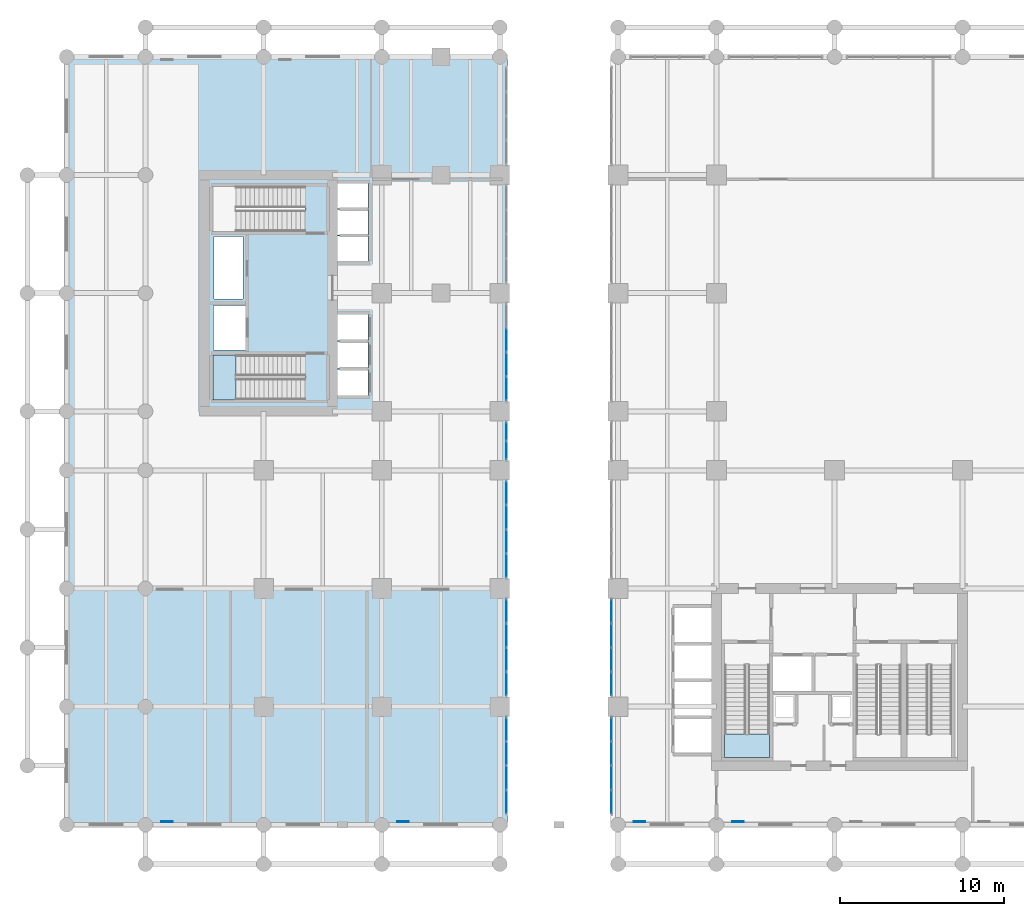
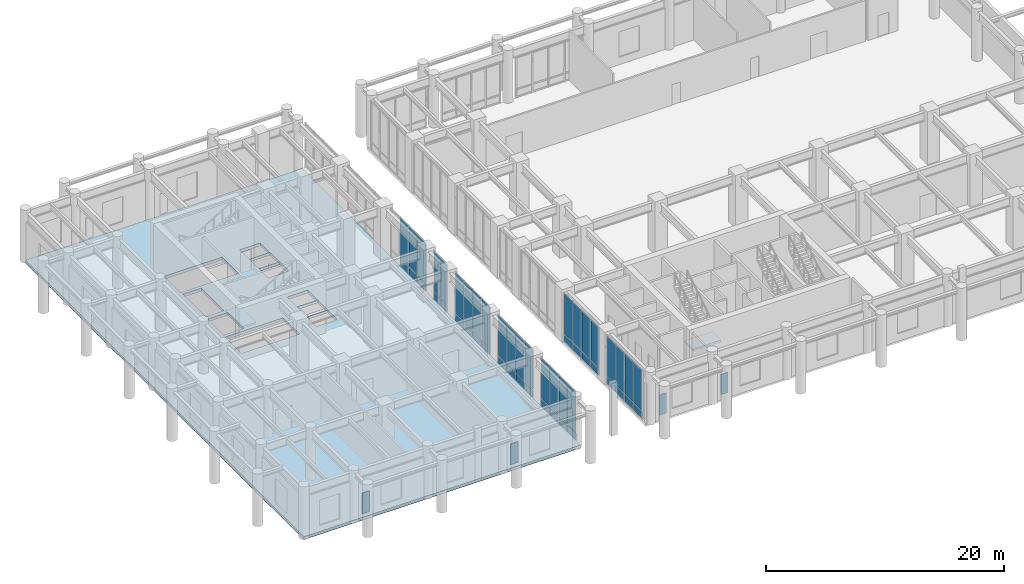
# One storey, part 10 of 23: 54 plates, 3 slabs, 9 elements without a shape of their own.
"""IFC4 building model written with IfcOpenShell, lengths in metres."""

from ifc_helpers import new_model, si_unit, derived_unit, direction, frame, origin, origin_2d, place, context, subcontext, project, spatial, polyline, rectangle, outline, extrude, source, transform, mapped, material, layer, layer_set, type_object, type_shapes, element, aggregate, save


model = new_model("IFC4")

# Units and contexts
model_context = context("Model", 3, precision=1e-05, world=origin(), true_north=direction((0.0, 1.0)))
body_context = subcontext(model_context, "Body", "Model", "MODEL_VIEW")
ifc_project = project(units=[si_unit("LENGTHUNIT", "METRE"), si_unit("AREAUNIT", "SQUARE_METRE"), si_unit("VOLUMEUNIT", "CUBIC_METRE"), si_unit("PLANEANGLEUNIT", "RADIAN"), si_unit("MASSUNIT", "GRAM", prefix="KILO"), si_unit("THERMODYNAMICTEMPERATUREUNIT", "KELVIN"), si_unit("POWERUNIT", "WATT"), derived_unit("THERMALTRANSMITTANCEUNIT", [(si_unit("POWERUNIT", "WATT"), 1), (si_unit("AREAUNIT", "SQUARE_METRE"), -1), (si_unit("THERMODYNAMICTEMPERATUREUNIT", "KELVIN"), -1)])], contexts=[model_context])

# Site, building, storey
site_placement = place(None, origin())
site = spatial("IfcSite", under=ifc_project, at=site_placement, CompositionType="ELEMENT")
building_placement = place(site_placement, origin())
building = spatial("IfcBuilding", under=site, at=building_placement, Name="Zahravan Archway Hotel and Residences", CompositionType="ELEMENT")
storey_placement = place(building_placement, frame((0.0, 0.0, 5.39990234375)))
storey = spatial("IfcBuildingStorey", under=building, at=storey_placement, Name="L01", CompositionType="ELEMENT", Elevation=5.39990234375)

# Slab
ifc_material_1 = material(Name="Concrete C50/60", Category="concrete")
ifc_layer_1 = layer(ifc_material_1, 0.300048828125, Name="Concrete C50/60", Category="concrete")
ifc_layer_set_1 = layer_set([ifc_layer_1], Name="Concrete C50/60")
slab_type_1 = type_object("IfcSlabType", Name="SLB-FLR-300", PredefinedType="FLOOR", material=ifc_layer_set_1)
slab_1_placement = place(storey_placement, frame((0.0, 0.0, -0.2998046875)))
element("IfcSlab", 1, at=slab_1_placement, inside=storey, type_object=slab_type_1, Name="L01 Floor Slab WEST", PredefinedType="FLOOR", context=body_context, shape_type="SweptSolid", body=[
    extrude(outline(polyline([(-4.800048828125, 0.0), (22.050048828125, 0.0), (22.050048828125, 46.800048828125), (-4.800048828125, 46.800048828125), (-4.800048828125, 0.0)]), holes=[polyline([(9.72998046875, 28.639892578125), (4.10009765625, 28.639892578125), (4.10009765625, 25.89990234375), (9.72998046875, 25.89990234375), (9.72998046875, 28.639892578125)]), polyline([(9.72998046875, 38.89990234375), (4.10009765625, 38.89990234375), (4.10009765625, 36.159912109375), (9.72998046875, 36.159912109375), (9.72998046875, 38.89990234375)]), polyline([(4.14990234375, 28.949951171875), (6.10009765625, 28.949951171875), (6.10009765625, 31.64990234375), (4.14990234375, 31.64990234375), (4.14990234375, 28.949951171875)]), polyline([(11.550048828125, 26.14990234375), (13.550048828125, 26.14990234375), (13.550048828125, 27.75), (11.550048828125, 27.75), (11.550048828125, 26.14990234375)]), polyline([(11.550048828125, 27.830078125), (13.550048828125, 27.830078125), (13.550048828125, 29.429931640625), (11.550048828125, 29.429931640625), (11.550048828125, 27.830078125)]), polyline([(11.550048828125, 29.510009765625), (13.550048828125, 29.510009765625), (13.550048828125, 31.110107421875), (11.550048828125, 31.110107421875), (11.550048828125, 29.510009765625)]), polyline([(11.550048828125, 34.35009765625), (13.550048828125, 34.35009765625), (13.550048828125, 35.889892578125), (11.550048828125, 35.889892578125), (11.550048828125, 34.35009765625)]), polyline([(11.550048828125, 35.949951171875), (13.550048828125, 35.949951171875), (13.550048828125, 37.489990234375), (11.550048828125, 37.489990234375), (11.550048828125, 35.949951171875)]), polyline([(11.550048828125, 37.550048828125), (13.550048828125, 37.550048828125), (13.550048828125, 39.090087890625), (11.550048828125, 39.090087890625), (11.550048828125, 37.550048828125)]), polyline([(4.179931640625, 32.050048828125), (5.93994140625, 32.050048828125), (5.93994140625, 35.840087890625), (4.179931640625, 35.840087890625), (4.179931640625, 32.050048828125)])]), origin(), (0.0, 0.0, 1.0), 0.2998046875),
])

# Stair, slab
stair_type = type_object("IfcStairType", Name="STR-CORE-1300", PredefinedType="HALF_TURN_STAIR", material=ifc_material_1)
stair_1_placement = place(storey_placement, origin())
stair_1 = element("IfcStair", 2, at=stair_1_placement, inside=storey, type_object=stair_type, Name="L01 Core A Exit Stair 1", PredefinedType="HALF_TURN_STAIR")
ifc_layer_2 = layer(ifc_material_1, 0.199951171875, Name="Concrete C50/60", Category="concrete")
ifc_layer_set_2 = layer_set([ifc_layer_2], Name="Concrete C50/60")
slab_type_2 = type_object("IfcSlabType", Name="SLB-LND-200", PredefinedType="LANDING", material=ifc_layer_set_2)
slab_2_placement = place(storey_placement, frame((0.0, 0.0, 2.5)))
slab_2 = element("IfcSlab", 3, at=slab_2_placement, type_object=slab_type_2, Name="ST-A1 landing 1", PredefinedType="LANDING", context=body_context, shape_type="SweptSolid", body=[
    extrude(outline(polyline([(35.300048828125, 5.530029296875), (35.300048828125, 4.10009765625), (38.0400390625, 4.10009765625), (38.0400390625, 5.530029296875), (35.300048828125, 5.530029296875)])), origin(), (0.0, 0.0, 1.0), 0.2001953125),
])
aggregate(stair_1, [slab_2])

stair_2_placement = place(storey_placement, origin())
stair_2 = element("IfcStair", 4, at=stair_2_placement, inside=storey, type_object=stair_type, Name="L01 Core B Exit Stair 1", PredefinedType="HALF_TURN_STAIR")
slab_3_placement = place(storey_placement, frame((0.0, 0.0, 2.5)))
slab_3 = element("IfcSlab", 5, at=slab_3_placement, type_object=slab_type_2, Name="ST-B1 landing 1", PredefinedType="LANDING", context=body_context, shape_type="SweptSolid", body=[
    extrude(outline(polyline([(5.530029296875, 28.639892578125), (4.10009765625, 28.639892578125), (4.10009765625, 25.89990234375), (5.530029296875, 25.89990234375), (5.530029296875, 28.639892578125)])), origin(), (0.0, 0.0, 1.0), 0.2001953125),
])
aggregate(stair_2, [slab_3])

# Curtain wall, plates
ifc_material_2 = material(Name="Bronze-Anodized Unitised Aluminium & Low-E Glass", Category="aluminium")
ifc_layer_3 = layer(ifc_material_2, 0.179931640625, Name="Bronze-Anodized Unitised Aluminium & Low-E Glass", Category="aluminium")
ifc_layer_set_3 = layer_set([ifc_layer_3], Name="Bronze-Anodized Unitised Aluminium & Low-E Glass")
curtain_wall_type = type_object("IfcCurtainWallType", Name="CW-POD-ARCH", PredefinedType="NOTDEFINED", material=ifc_layer_set_3)
curtain_wall_1_placement = place(storey_placement, origin())
curtain_wall_1 = element("IfcCurtainWall", 6, at=curtain_wall_1_placement, inside=storey, type_object=curtain_wall_type, Name="L01 Curtain Wall CW-PORTW-L01-1", PredefinedType="NOTDEFINED")
ifc_material_3 = material(Name="Insulated Terracotta Spandrel Panel", Category="masonry")
ifc_layer_4 = layer(ifc_material_3, 0.0400390625, Name="Insulated Terracotta Spandrel Panel", Category="masonry")
ifc_layer_set_4 = layer_set([ifc_layer_4], Name="Insulated Terracotta Spandrel Panel")
plate_type_1 = type_object("IfcPlateType", Name="CWP-SPN-40", PredefinedType="SHEET", material=ifc_layer_set_4)
shared_shape_1 = source(origin(), body_context, "Body", "SweptSolid", [
    extrude(rectangle(XDim=1.3974609375, YDim=0.0400390625, at=origin_2d()), origin(), (0.0, 0.0, 1.0), 0.7099609375),
])
plate_1_placement = place(storey_placement, frame((22.0, 1.3837890625, 0.10009765625), z_axis=(0.0, 0.0, 1.0), x_axis=(0.0, 1.0, 0.0)))
plate_1 = element("IfcPlate", 7, at=plate_1_placement, type_object=plate_type_1, Name="CW-PORTW-L01-1 Spandrel Panel 0", PredefinedType="SHEET", context=body_context, shape_type="MappedRepresentation", body=[
    mapped(shared_shape_1, transform((0.0, 0.0, 0.0), scale=1.0)),
])
plate_2_placement = place(storey_placement, frame((22.0, 2.861328125, 0.10009765625), z_axis=(0.0, 0.0, 1.0), x_axis=(0.0, 1.0, 0.0)))
plate_2 = element("IfcPlate", 8, at=plate_2_placement, type_object=plate_type_1, Name="CW-PORTW-L01-1 Spandrel Panel 1", PredefinedType="SHEET", context=body_context, shape_type="MappedRepresentation", body=[
    mapped(shared_shape_1, transform((0.0, 0.0, 0.0), scale=1.0)),
])
plate_3_placement = place(storey_placement, frame((22.0, 4.338623046875, 0.10009765625), z_axis=(0.0, 0.0, 1.0), x_axis=(0.0, 1.0, 0.0)))
plate_3 = element("IfcPlate", 9, at=plate_3_placement, type_object=plate_type_1, Name="CW-PORTW-L01-1 Spandrel Panel 2", PredefinedType="SHEET", context=body_context, shape_type="MappedRepresentation", body=[
    mapped(shared_shape_1, transform((0.0, 0.0, 0.0), scale=1.0)),
])
plate_4_placement = place(storey_placement, frame((22.0, 5.816162109375, 0.10009765625), z_axis=(0.0, 0.0, 1.0), x_axis=(0.0, 1.0, 0.0)))
plate_4 = element("IfcPlate", 10, at=plate_4_placement, type_object=plate_type_1, Name="CW-PORTW-L01-1 Spandrel Panel 3", PredefinedType="SHEET", context=body_context, shape_type="MappedRepresentation", body=[
    mapped(shared_shape_1, transform((0.0, 0.0, 0.0), scale=1.0)),
])

curtain_wall_2_placement = place(storey_placement, origin())
curtain_wall_2 = element("IfcCurtainWall", 11, at=curtain_wall_2_placement, inside=storey, type_object=curtain_wall_type, Name="L01 Curtain Wall CW-PORTW-L01-2", PredefinedType="NOTDEFINED")
plate_5_placement = place(storey_placement, frame((22.0, 8.583984375, 0.10009765625), z_axis=(0.0, 0.0, 1.0), x_axis=(0.0, 1.0, 0.0)))
plate_5 = element("IfcPlate", 12, at=plate_5_placement, type_object=plate_type_1, Name="CW-PORTW-L01-2 Spandrel Panel 0", PredefinedType="SHEET", context=body_context, shape_type="MappedRepresentation", body=[
    mapped(shared_shape_1, transform((0.0, 0.0, 0.0), scale=1.0)),
])
plate_6_placement = place(storey_placement, frame((22.0, 10.061279296875, 0.10009765625), z_axis=(0.0, 0.0, 1.0), x_axis=(0.0, 1.0, 0.0)))
plate_6 = element("IfcPlate", 13, at=plate_6_placement, type_object=plate_type_1, Name="CW-PORTW-L01-2 Spandrel Panel 1", PredefinedType="SHEET", context=body_context, shape_type="MappedRepresentation", body=[
    mapped(shared_shape_1, transform((0.0, 0.0, 0.0), scale=1.0)),
])
plate_7_placement = place(storey_placement, frame((22.0, 11.538818359375, 0.10009765625), z_axis=(0.0, 0.0, 1.0), x_axis=(0.0, 1.0, 0.0)))
plate_7 = element("IfcPlate", 14, at=plate_7_placement, type_object=plate_type_1, Name="CW-PORTW-L01-2 Spandrel Panel 2", PredefinedType="SHEET", context=body_context, shape_type="MappedRepresentation", body=[
    mapped(shared_shape_1, transform((0.0, 0.0, 0.0), scale=1.0)),
])
plate_8_placement = place(storey_placement, frame((22.0, 13.01611328125, 0.10009765625), z_axis=(0.0, 0.0, 1.0), x_axis=(0.0, 1.0, 0.0)))
plate_8 = element("IfcPlate", 15, at=plate_8_placement, type_object=plate_type_1, Name="CW-PORTW-L01-2 Spandrel Panel 3", PredefinedType="SHEET", context=body_context, shape_type="MappedRepresentation", body=[
    mapped(shared_shape_1, transform((0.0, 0.0, 0.0), scale=1.0)),
])

curtain_wall_3_placement = place(storey_placement, origin())
curtain_wall_3 = element("IfcCurtainWall", 16, at=curtain_wall_3_placement, inside=storey, type_object=curtain_wall_type, Name="L01 Curtain Wall CW-PORTW-L01-3", PredefinedType="NOTDEFINED")
plate_9_placement = place(storey_placement, frame((22.0, 15.783935546875, 0.10009765625), z_axis=(0.0, 0.0, 1.0), x_axis=(0.0, 1.0, 0.0)))
plate_9 = element("IfcPlate", 17, at=plate_9_placement, type_object=plate_type_1, Name="CW-PORTW-L01-3 Spandrel Panel 0", PredefinedType="SHEET", context=body_context, shape_type="MappedRepresentation", body=[
    mapped(shared_shape_1, transform((0.0, 0.0, 0.0), scale=1.0)),
])
plate_10_placement = place(storey_placement, frame((22.0, 17.26123046875, 0.10009765625), z_axis=(0.0, 0.0, 1.0), x_axis=(0.0, 1.0, 0.0)))
plate_10 = element("IfcPlate", 18, at=plate_10_placement, type_object=plate_type_1, Name="CW-PORTW-L01-3 Spandrel Panel 1", PredefinedType="SHEET", context=body_context, shape_type="MappedRepresentation", body=[
    mapped(shared_shape_1, transform((0.0, 0.0, 0.0), scale=1.0)),
])
plate_11_placement = place(storey_placement, frame((22.0, 18.73876953125, 0.10009765625), z_axis=(0.0, 0.0, 1.0), x_axis=(0.0, 1.0, 0.0)))
plate_11 = element("IfcPlate", 19, at=plate_11_placement, type_object=plate_type_1, Name="CW-PORTW-L01-3 Spandrel Panel 2", PredefinedType="SHEET", context=body_context, shape_type="MappedRepresentation", body=[
    mapped(shared_shape_1, transform((0.0, 0.0, 0.0), scale=1.0)),
])
plate_12_placement = place(storey_placement, frame((22.0, 20.216064453125, 0.10009765625), z_axis=(0.0, 0.0, 1.0), x_axis=(0.0, 1.0, 0.0)))
plate_12 = element("IfcPlate", 20, at=plate_12_placement, type_object=plate_type_1, Name="CW-PORTW-L01-3 Spandrel Panel 3", PredefinedType="SHEET", context=body_context, shape_type="MappedRepresentation", body=[
    mapped(shared_shape_1, transform((0.0, 0.0, 0.0), scale=1.0)),
])

curtain_wall_4_placement = place(storey_placement, origin())
curtain_wall_4 = element("IfcCurtainWall", 21, at=curtain_wall_4_placement, inside=storey, type_object=curtain_wall_type, Name="L01 Curtain Wall CW-PORTW-L01-5", PredefinedType="NOTDEFINED")
plate_13_placement = place(storey_placement, frame((22.0, 26.583984375, 0.10009765625), z_axis=(0.0, 0.0, 1.0), x_axis=(0.0, 1.0, 0.0)))
plate_13 = element("IfcPlate", 22, at=plate_13_placement, type_object=plate_type_1, Name="CW-PORTW-L01-5 Spandrel Panel 0", PredefinedType="SHEET", context=body_context, shape_type="MappedRepresentation", body=[
    mapped(shared_shape_1, transform((0.0, 0.0, 0.0), scale=1.0)),
])
plate_14_placement = place(storey_placement, frame((22.0, 28.061279296875, 0.10009765625), z_axis=(0.0, 0.0, 1.0), x_axis=(0.0, 1.0, 0.0)))
plate_14 = element("IfcPlate", 23, at=plate_14_placement, type_object=plate_type_1, Name="CW-PORTW-L01-5 Spandrel Panel 1", PredefinedType="SHEET", context=body_context, shape_type="MappedRepresentation", body=[
    mapped(shared_shape_1, transform((0.0, 0.0, 0.0), scale=1.0)),
])
plate_15_placement = place(storey_placement, frame((22.0, 29.538818359375, 0.10009765625), z_axis=(0.0, 0.0, 1.0), x_axis=(0.0, 1.0, 0.0)))
plate_15 = element("IfcPlate", 24, at=plate_15_placement, type_object=plate_type_1, Name="CW-PORTW-L01-5 Spandrel Panel 2", PredefinedType="SHEET", context=body_context, shape_type="MappedRepresentation", body=[
    mapped(shared_shape_1, transform((0.0, 0.0, 0.0), scale=1.0)),
])

curtain_wall_5_placement = place(storey_placement, origin())
curtain_wall_5 = element("IfcCurtainWall", 25, at=curtain_wall_5_placement, inside=storey, type_object=curtain_wall_type, Name="L01 Curtain Wall CW-PORTE-L01-1", PredefinedType="NOTDEFINED")
plate_16_placement = place(storey_placement, frame((28.39990234375, 1.3837890625, 0.10009765625), z_axis=(0.0, 0.0, 1.0), x_axis=(0.0, 1.0, 0.0)))
plate_16 = element("IfcPlate", 26, at=plate_16_placement, type_object=plate_type_1, Name="CW-PORTE-L01-1 Spandrel Panel 0", PredefinedType="SHEET", context=body_context, shape_type="MappedRepresentation", body=[
    mapped(shared_shape_1, transform((0.0, 0.0, 0.0), scale=1.0)),
])
plate_17_placement = place(storey_placement, frame((28.39990234375, 2.861328125, 0.10009765625), z_axis=(0.0, 0.0, 1.0), x_axis=(0.0, 1.0, 0.0)))
plate_17 = element("IfcPlate", 27, at=plate_17_placement, type_object=plate_type_1, Name="CW-PORTE-L01-1 Spandrel Panel 1", PredefinedType="SHEET", context=body_context, shape_type="MappedRepresentation", body=[
    mapped(shared_shape_1, transform((0.0, 0.0, 0.0), scale=1.0)),
])
plate_18_placement = place(storey_placement, frame((28.39990234375, 4.338623046875, 0.10009765625), z_axis=(0.0, 0.0, 1.0), x_axis=(0.0, 1.0, 0.0)))
plate_18 = element("IfcPlate", 28, at=plate_18_placement, type_object=plate_type_1, Name="CW-PORTE-L01-1 Spandrel Panel 2", PredefinedType="SHEET", context=body_context, shape_type="MappedRepresentation", body=[
    mapped(shared_shape_1, transform((0.0, 0.0, 0.0), scale=1.0)),
])
plate_19_placement = place(storey_placement, frame((28.39990234375, 5.816162109375, 0.10009765625), z_axis=(0.0, 0.0, 1.0), x_axis=(0.0, 1.0, 0.0)))
plate_19 = element("IfcPlate", 29, at=plate_19_placement, type_object=plate_type_1, Name="CW-PORTE-L01-1 Spandrel Panel 3", PredefinedType="SHEET", context=body_context, shape_type="MappedRepresentation", body=[
    mapped(shared_shape_1, transform((0.0, 0.0, 0.0), scale=1.0)),
])

curtain_wall_6_placement = place(storey_placement, origin())
curtain_wall_6 = element("IfcCurtainWall", 30, at=curtain_wall_6_placement, inside=storey, type_object=curtain_wall_type, Name="L01 Curtain Wall CW-PORTE-L01-2", PredefinedType="NOTDEFINED")
plate_20_placement = place(storey_placement, frame((28.39990234375, 8.583984375, 0.10009765625), z_axis=(0.0, 0.0, 1.0), x_axis=(0.0, 1.0, 0.0)))
plate_20 = element("IfcPlate", 31, at=plate_20_placement, type_object=plate_type_1, Name="CW-PORTE-L01-2 Spandrel Panel 0", PredefinedType="SHEET", context=body_context, shape_type="MappedRepresentation", body=[
    mapped(shared_shape_1, transform((0.0, 0.0, 0.0), scale=1.0)),
])
plate_21_placement = place(storey_placement, frame((28.39990234375, 10.061279296875, 0.10009765625), z_axis=(0.0, 0.0, 1.0), x_axis=(0.0, 1.0, 0.0)))
plate_21 = element("IfcPlate", 32, at=plate_21_placement, type_object=plate_type_1, Name="CW-PORTE-L01-2 Spandrel Panel 1", PredefinedType="SHEET", context=body_context, shape_type="MappedRepresentation", body=[
    mapped(shared_shape_1, transform((0.0, 0.0, 0.0), scale=1.0)),
])
plate_22_placement = place(storey_placement, frame((28.39990234375, 11.538818359375, 0.10009765625), z_axis=(0.0, 0.0, 1.0), x_axis=(0.0, 1.0, 0.0)))
plate_22 = element("IfcPlate", 33, at=plate_22_placement, type_object=plate_type_1, Name="CW-PORTE-L01-2 Spandrel Panel 2", PredefinedType="SHEET", context=body_context, shape_type="MappedRepresentation", body=[
    mapped(shared_shape_1, transform((0.0, 0.0, 0.0), scale=1.0)),
])
plate_23_placement = place(storey_placement, frame((28.39990234375, 13.01611328125, 0.10009765625), z_axis=(0.0, 0.0, 1.0), x_axis=(0.0, 1.0, 0.0)))
plate_23 = element("IfcPlate", 34, at=plate_23_placement, type_object=plate_type_1, Name="CW-PORTE-L01-2 Spandrel Panel 3", PredefinedType="SHEET", context=body_context, shape_type="MappedRepresentation", body=[
    mapped(shared_shape_1, transform((0.0, 0.0, 0.0), scale=1.0)),
])

# Plate
ifc_material_4 = material(Name="Double-Silver Low-E Insulated Vision Glass", Category="glass")
ifc_layer_5 = layer(ifc_material_4, 0.028076171875, Name="Double-Silver Low-E Insulated Vision Glass", Category="glass")
ifc_layer_set_5 = layer_set([ifc_layer_5], Name="Double-Silver Low-E Insulated Vision Glass")
plate_type_2 = type_object("IfcPlateType", Name="CWP-GLZ-28", PredefinedType="CURTAIN_PANEL", material=ifc_layer_set_5)
shared_shape_2 = source(origin(), body_context, "Body", "SweptSolid", [
    extrude(rectangle(XDim=1.3974609375, YDim=0.028076171875, at=origin_2d()), origin(), (0.0, 0.0, 1.0), 4.110107421875),
])
plate_24_placement = place(storey_placement, frame((22.0, 1.3837890625, 0.89013671875), z_axis=(0.0, 0.0, 1.0), x_axis=(0.0, 1.0, 0.0)))
plate_24 = element("IfcPlate", 35, at=plate_24_placement, type_object=plate_type_2, Name="CW-PORTW-L01-1 Low-E Vision Panel 0", PredefinedType="CURTAIN_PANEL", context=body_context, shape_type="MappedRepresentation", body=[
    mapped(shared_shape_2, transform((0.0, 0.0, 0.0), scale=1.0)),
])

plate_25_placement = place(storey_placement, frame((22.0, 2.861328125, 0.89013671875), z_axis=(0.0, 0.0, 1.0), x_axis=(0.0, 1.0, 0.0)))
plate_25 = element("IfcPlate", 36, at=plate_25_placement, type_object=plate_type_2, Name="CW-PORTW-L01-1 Low-E Vision Panel 1", PredefinedType="CURTAIN_PANEL", context=body_context, shape_type="MappedRepresentation", body=[
    mapped(shared_shape_2, transform((0.0, 0.0, 0.0), scale=1.0)),
])

plate_26_placement = place(storey_placement, frame((22.0, 4.338623046875, 0.89013671875), z_axis=(0.0, 0.0, 1.0), x_axis=(0.0, 1.0, 0.0)))
plate_26 = element("IfcPlate", 37, at=plate_26_placement, type_object=plate_type_2, Name="CW-PORTW-L01-1 Low-E Vision Panel 2", PredefinedType="CURTAIN_PANEL", context=body_context, shape_type="MappedRepresentation", body=[
    mapped(shared_shape_2, transform((0.0, 0.0, 0.0), scale=1.0)),
])

plate_27_placement = place(storey_placement, frame((22.0, 5.816162109375, 0.89013671875), z_axis=(0.0, 0.0, 1.0), x_axis=(0.0, 1.0, 0.0)))
plate_27 = element("IfcPlate", 38, at=plate_27_placement, type_object=plate_type_2, Name="CW-PORTW-L01-1 Low-E Vision Panel 3", PredefinedType="CURTAIN_PANEL", context=body_context, shape_type="MappedRepresentation", body=[
    mapped(shared_shape_2, transform((0.0, 0.0, 0.0), scale=1.0)),
])

aggregate(curtain_wall_1, [plate_1, plate_24, plate_2, plate_25, plate_3, plate_26, plate_4, plate_27])

plate_28_placement = place(storey_placement, frame((22.0, 8.583984375, 0.89013671875), z_axis=(0.0, 0.0, 1.0), x_axis=(0.0, 1.0, 0.0)))
plate_28 = element("IfcPlate", 39, at=plate_28_placement, type_object=plate_type_2, Name="CW-PORTW-L01-2 Low-E Vision Panel 0", PredefinedType="CURTAIN_PANEL", context=body_context, shape_type="MappedRepresentation", body=[
    mapped(shared_shape_2, transform((0.0, 0.0, 0.0), scale=1.0)),
])

plate_29_placement = place(storey_placement, frame((22.0, 10.061279296875, 0.89013671875), z_axis=(0.0, 0.0, 1.0), x_axis=(0.0, 1.0, 0.0)))
plate_29 = element("IfcPlate", 40, at=plate_29_placement, type_object=plate_type_2, Name="CW-PORTW-L01-2 Low-E Vision Panel 1", PredefinedType="CURTAIN_PANEL", context=body_context, shape_type="MappedRepresentation", body=[
    mapped(shared_shape_2, transform((0.0, 0.0, 0.0), scale=1.0)),
])

plate_30_placement = place(storey_placement, frame((22.0, 11.538818359375, 0.89013671875), z_axis=(0.0, 0.0, 1.0), x_axis=(0.0, 1.0, 0.0)))
plate_30 = element("IfcPlate", 41, at=plate_30_placement, type_object=plate_type_2, Name="CW-PORTW-L01-2 Low-E Vision Panel 2", PredefinedType="CURTAIN_PANEL", context=body_context, shape_type="MappedRepresentation", body=[
    mapped(shared_shape_2, transform((0.0, 0.0, 0.0), scale=1.0)),
])

plate_31_placement = place(storey_placement, frame((22.0, 13.01611328125, 0.89013671875), z_axis=(0.0, 0.0, 1.0), x_axis=(0.0, 1.0, 0.0)))
plate_31 = element("IfcPlate", 42, at=plate_31_placement, type_object=plate_type_2, Name="CW-PORTW-L01-2 Low-E Vision Panel 3", PredefinedType="CURTAIN_PANEL", context=body_context, shape_type="MappedRepresentation", body=[
    mapped(shared_shape_2, transform((0.0, 0.0, 0.0), scale=1.0)),
])

aggregate(curtain_wall_2, [plate_5, plate_28, plate_6, plate_29, plate_7, plate_30, plate_8, plate_31])

plate_32_placement = place(storey_placement, frame((22.0, 15.783935546875, 0.89013671875), z_axis=(0.0, 0.0, 1.0), x_axis=(0.0, 1.0, 0.0)))
plate_32 = element("IfcPlate", 43, at=plate_32_placement, type_object=plate_type_2, Name="CW-PORTW-L01-3 Low-E Vision Panel 0", PredefinedType="CURTAIN_PANEL", context=body_context, shape_type="MappedRepresentation", body=[
    mapped(shared_shape_2, transform((0.0, 0.0, 0.0), scale=1.0)),
])

plate_33_placement = place(storey_placement, frame((22.0, 17.26123046875, 0.89013671875), z_axis=(0.0, 0.0, 1.0), x_axis=(0.0, 1.0, 0.0)))
plate_33 = element("IfcPlate", 44, at=plate_33_placement, type_object=plate_type_2, Name="CW-PORTW-L01-3 Low-E Vision Panel 1", PredefinedType="CURTAIN_PANEL", context=body_context, shape_type="MappedRepresentation", body=[
    mapped(shared_shape_2, transform((0.0, 0.0, 0.0), scale=1.0)),
])

plate_34_placement = place(storey_placement, frame((22.0, 18.73876953125, 0.89013671875), z_axis=(0.0, 0.0, 1.0), x_axis=(0.0, 1.0, 0.0)))
plate_34 = element("IfcPlate", 45, at=plate_34_placement, type_object=plate_type_2, Name="CW-PORTW-L01-3 Low-E Vision Panel 2", PredefinedType="CURTAIN_PANEL", context=body_context, shape_type="MappedRepresentation", body=[
    mapped(shared_shape_2, transform((0.0, 0.0, 0.0), scale=1.0)),
])

plate_35_placement = place(storey_placement, frame((22.0, 20.216064453125, 0.89013671875), z_axis=(0.0, 0.0, 1.0), x_axis=(0.0, 1.0, 0.0)))
plate_35 = element("IfcPlate", 46, at=plate_35_placement, type_object=plate_type_2, Name="CW-PORTW-L01-3 Low-E Vision Panel 3", PredefinedType="CURTAIN_PANEL", context=body_context, shape_type="MappedRepresentation", body=[
    mapped(shared_shape_2, transform((0.0, 0.0, 0.0), scale=1.0)),
])

aggregate(curtain_wall_3, [plate_9, plate_32, plate_10, plate_33, plate_11, plate_34, plate_12, plate_35])

plate_36_placement = place(storey_placement, frame((22.0, 26.583984375, 0.89013671875), z_axis=(0.0, 0.0, 1.0), x_axis=(0.0, 1.0, 0.0)))
plate_36 = element("IfcPlate", 47, at=plate_36_placement, type_object=plate_type_2, Name="CW-PORTW-L01-5 Low-E Vision Panel 0", PredefinedType="CURTAIN_PANEL", context=body_context, shape_type="MappedRepresentation", body=[
    mapped(shared_shape_2, transform((0.0, 0.0, 0.0), scale=1.0)),
])

plate_37_placement = place(storey_placement, frame((22.0, 28.061279296875, 0.89013671875), z_axis=(0.0, 0.0, 1.0), x_axis=(0.0, 1.0, 0.0)))
plate_37 = element("IfcPlate", 48, at=plate_37_placement, type_object=plate_type_2, Name="CW-PORTW-L01-5 Low-E Vision Panel 1", PredefinedType="CURTAIN_PANEL", context=body_context, shape_type="MappedRepresentation", body=[
    mapped(shared_shape_2, transform((0.0, 0.0, 0.0), scale=1.0)),
])

plate_38_placement = place(storey_placement, frame((22.0, 29.538818359375, 0.89013671875), z_axis=(0.0, 0.0, 1.0), x_axis=(0.0, 1.0, 0.0)))
plate_38 = element("IfcPlate", 49, at=plate_38_placement, type_object=plate_type_2, Name="CW-PORTW-L01-5 Low-E Vision Panel 2", PredefinedType="CURTAIN_PANEL", context=body_context, shape_type="MappedRepresentation", body=[
    mapped(shared_shape_2, transform((0.0, 0.0, 0.0), scale=1.0)),
])

aggregate(curtain_wall_4, [plate_13, plate_36, plate_14, plate_37, plate_15, plate_38])

plate_39_placement = place(storey_placement, frame((28.39990234375, 1.3837890625, 0.89013671875), z_axis=(0.0, 0.0, 1.0), x_axis=(0.0, 1.0, 0.0)))
plate_39 = element("IfcPlate", 50, at=plate_39_placement, type_object=plate_type_2, Name="CW-PORTE-L01-1 Low-E Vision Panel 0", PredefinedType="CURTAIN_PANEL", context=body_context, shape_type="MappedRepresentation", body=[
    mapped(shared_shape_2, transform((0.0, 0.0, 0.0), scale=1.0)),
])

plate_40_placement = place(storey_placement, frame((28.39990234375, 2.861328125, 0.89013671875), z_axis=(0.0, 0.0, 1.0), x_axis=(0.0, 1.0, 0.0)))
plate_40 = element("IfcPlate", 51, at=plate_40_placement, type_object=plate_type_2, Name="CW-PORTE-L01-1 Low-E Vision Panel 1", PredefinedType="CURTAIN_PANEL", context=body_context, shape_type="MappedRepresentation", body=[
    mapped(shared_shape_2, transform((0.0, 0.0, 0.0), scale=1.0)),
])

plate_41_placement = place(storey_placement, frame((28.39990234375, 4.338623046875, 0.89013671875), z_axis=(0.0, 0.0, 1.0), x_axis=(0.0, 1.0, 0.0)))
plate_41 = element("IfcPlate", 52, at=plate_41_placement, type_object=plate_type_2, Name="CW-PORTE-L01-1 Low-E Vision Panel 2", PredefinedType="CURTAIN_PANEL", context=body_context, shape_type="MappedRepresentation", body=[
    mapped(shared_shape_2, transform((0.0, 0.0, 0.0), scale=1.0)),
])

plate_42_placement = place(storey_placement, frame((28.39990234375, 5.816162109375, 0.89013671875), z_axis=(0.0, 0.0, 1.0), x_axis=(0.0, 1.0, 0.0)))
plate_42 = element("IfcPlate", 53, at=plate_42_placement, type_object=plate_type_2, Name="CW-PORTE-L01-1 Low-E Vision Panel 3", PredefinedType="CURTAIN_PANEL", context=body_context, shape_type="MappedRepresentation", body=[
    mapped(shared_shape_2, transform((0.0, 0.0, 0.0), scale=1.0)),
])

aggregate(curtain_wall_5, [plate_16, plate_39, plate_17, plate_40, plate_18, plate_41, plate_19, plate_42])

plate_43_placement = place(storey_placement, frame((28.39990234375, 8.583984375, 0.89013671875), z_axis=(0.0, 0.0, 1.0), x_axis=(0.0, 1.0, 0.0)))
plate_43 = element("IfcPlate", 54, at=plate_43_placement, type_object=plate_type_2, Name="CW-PORTE-L01-2 Low-E Vision Panel 0", PredefinedType="CURTAIN_PANEL", context=body_context, shape_type="MappedRepresentation", body=[
    mapped(shared_shape_2, transform((0.0, 0.0, 0.0), scale=1.0)),
])

plate_44_placement = place(storey_placement, frame((28.39990234375, 10.061279296875, 0.89013671875), z_axis=(0.0, 0.0, 1.0), x_axis=(0.0, 1.0, 0.0)))
plate_44 = element("IfcPlate", 55, at=plate_44_placement, type_object=plate_type_2, Name="CW-PORTE-L01-2 Low-E Vision Panel 1", PredefinedType="CURTAIN_PANEL", context=body_context, shape_type="MappedRepresentation", body=[
    mapped(shared_shape_2, transform((0.0, 0.0, 0.0), scale=1.0)),
])

plate_45_placement = place(storey_placement, frame((28.39990234375, 11.538818359375, 0.89013671875), z_axis=(0.0, 0.0, 1.0), x_axis=(0.0, 1.0, 0.0)))
plate_45 = element("IfcPlate", 56, at=plate_45_placement, type_object=plate_type_2, Name="CW-PORTE-L01-2 Low-E Vision Panel 2", PredefinedType="CURTAIN_PANEL", context=body_context, shape_type="MappedRepresentation", body=[
    mapped(shared_shape_2, transform((0.0, 0.0, 0.0), scale=1.0)),
])

plate_46_placement = place(storey_placement, frame((28.39990234375, 13.01611328125, 0.89013671875), z_axis=(0.0, 0.0, 1.0), x_axis=(0.0, 1.0, 0.0)))
plate_46 = element("IfcPlate", 57, at=plate_46_placement, type_object=plate_type_2, Name="CW-PORTE-L01-2 Low-E Vision Panel 3", PredefinedType="CURTAIN_PANEL", context=body_context, shape_type="MappedRepresentation", body=[
    mapped(shared_shape_2, transform((0.0, 0.0, 0.0), scale=1.0)),
])

aggregate(curtain_wall_6, [plate_20, plate_43, plate_21, plate_44, plate_22, plate_45, plate_23, plate_46])

# Curtain wall, plates
curtain_wall_7_placement = place(storey_placement, origin())
curtain_wall_7 = element("IfcCurtainWall", 58, at=curtain_wall_7_placement, inside=storey, type_object=curtain_wall_type, Name="L01 Curtain Wall CW-PORTW-L01-4", PredefinedType="NOTDEFINED")
shared_shape_3 = source(origin(), body_context, "Body", "SweptSolid", [
    extrude(rectangle(XDim=1.07470703125, YDim=0.0400390625, at=origin_2d()), origin(), (0.0, 0.0, 1.0), 0.7099609375),
])
plate_47_placement = place(storey_placement, frame((22.0, 22.822509765625, 0.10009765625), z_axis=(0.0, 0.0, 1.0), x_axis=(0.0, 1.0, 0.0)))
plate_47 = element("IfcPlate", 59, at=plate_47_placement, type_object=plate_type_1, Name="CW-PORTW-L01-4 Spandrel Panel 0", PredefinedType="SHEET", context=body_context, shape_type="MappedRepresentation", body=[
    mapped(shared_shape_3, transform((0.0, 0.0, 0.0), scale=1.0)),
])
plate_48_placement = place(storey_placement, frame((22.0, 23.977294921875, 0.10009765625), z_axis=(0.0, 0.0, 1.0), x_axis=(0.0, 1.0, 0.0)))
plate_48 = element("IfcPlate", 60, at=plate_48_placement, type_object=plate_type_1, Name="CW-PORTW-L01-4 Spandrel Panel 1", PredefinedType="SHEET", context=body_context, shape_type="MappedRepresentation", body=[
    mapped(shared_shape_3, transform((0.0, 0.0, 0.0), scale=1.0)),
])
shared_shape_4 = source(origin(), body_context, "Body", "SweptSolid", [
    extrude(rectangle(XDim=1.07470703125, YDim=0.028076171875, at=origin_2d()), origin(), (0.0, 0.0, 1.0), 4.110107421875),
])
plate_49_placement = place(storey_placement, frame((22.0, 22.822509765625, 0.89013671875), z_axis=(0.0, 0.0, 1.0), x_axis=(0.0, 1.0, 0.0)))
plate_49 = element("IfcPlate", 61, at=plate_49_placement, type_object=plate_type_2, Name="CW-PORTW-L01-4 Low-E Vision Panel 0", PredefinedType="CURTAIN_PANEL", context=body_context, shape_type="MappedRepresentation", body=[
    mapped(shared_shape_4, transform((0.0, 0.0, 0.0), scale=1.0)),
])
plate_50_placement = place(storey_placement, frame((22.0, 23.977294921875, 0.89013671875), z_axis=(0.0, 0.0, 1.0), x_axis=(0.0, 1.0, 0.0)))
plate_50 = element("IfcPlate", 62, at=plate_50_placement, type_object=plate_type_2, Name="CW-PORTW-L01-4 Low-E Vision Panel 1", PredefinedType="CURTAIN_PANEL", context=body_context, shape_type="MappedRepresentation", body=[
    mapped(shared_shape_4, transform((0.0, 0.0, 0.0), scale=1.0)),
])
aggregate(curtain_wall_7, [plate_47, plate_49, plate_48, plate_50])

# Plates
ifc_material_5 = material(Name="Perforated Cast Bronze Jali Lattice")
ifc_layer_6 = layer(ifc_material_5, 0.044921875, Name="Perforated Cast Bronze Jali Lattice")
ifc_layer_set_6 = layer_set([ifc_layer_6], Name="Perforated Cast Bronze Jali Lattice")
plate_type_3 = type_object("IfcPlateType", Name="PLT-JALI-BAY", PredefinedType="USERDEFINED", material=ifc_layer_set_6)
shared_shape_5 = source(origin(), body_context, "Body", "SweptSolid", [
    extrude(rectangle(XDim=0.699951171875, YDim=0.044921875, at=origin_2d()), origin(), (0.0, 0.0, 1.0), 2.10009765625),
])
type_shapes(plate_type_3, [shared_shape_5])
for number, where, z_axis, x_axis, name in (
    (63, (1.300048828125, 0.177978515625, 0.25), (0.0, 0.0, 1.0), (1.0, 0.0, 0.0), "L01 Podium Mughal Jali Pier Screen 01"),
    (64, (15.699951171875, 0.177978515625, 0.25), (0.0, 0.0, 1.0), (1.0, 0.0, 0.0), "L01 Podium Mughal Jali Pier Screen 02"),
    (65, (30.10009765625, 0.177978515625, 0.25), (0.0, 0.0, 1.0), (1.0, 0.0, 0.0), "L01 Podium Mughal Jali Pier Screen 03"),
    (66, (36.10009765625, 0.177978515625, 0.25), (0.0, 0.0, 1.0), (1.0, 0.0, 0.0), "L01 Podium Mughal Jali Pier Screen 04"),
):
    element("IfcPlate", number, at=place(storey_placement, frame(where, z_axis=z_axis, x_axis=x_axis)), inside=storey, type_object=plate_type_3, Name=name, ObjectType="SCREEN", PredefinedType="USERDEFINED", context=body_context, shape_type="MappedRepresentation", body=[
        mapped(shared_shape_5, transform((0.0, 0.0, 0.0), scale=1.0)),
    ])

save(model, "model.ifc")
